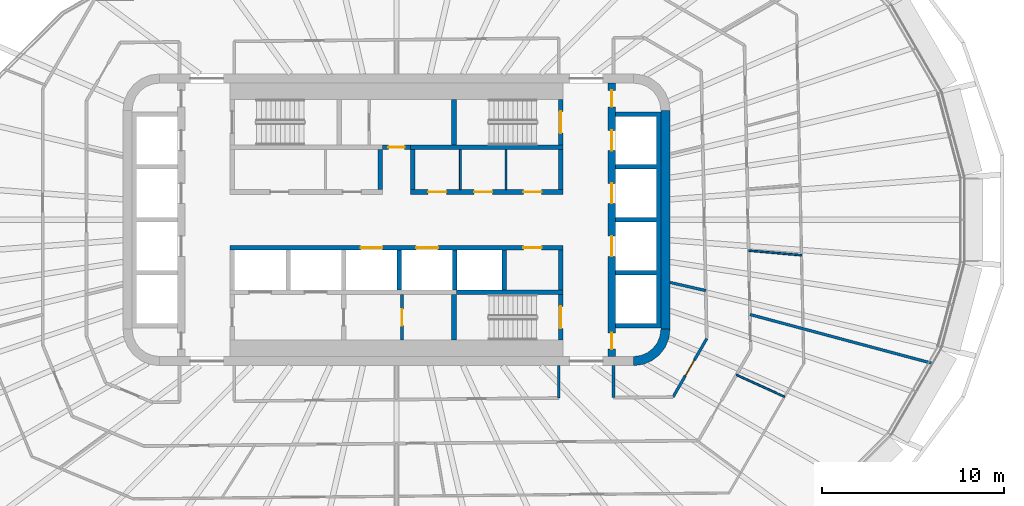
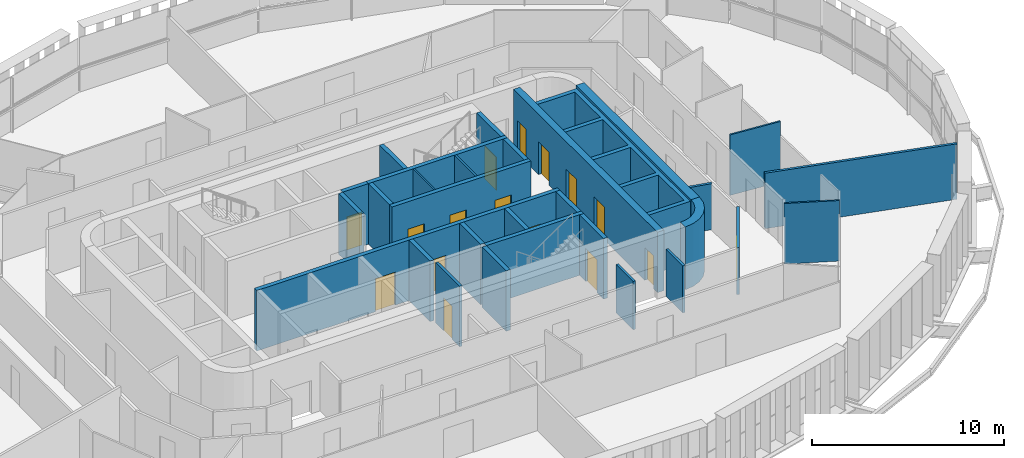
# One storey, part 13 of 23: 30 walls, 16 doors, 16 openings.
"""IFC4 building model written with IfcOpenShell, lengths in metres."""

from ifc_helpers import new_model, si_unit, direction, frame, frame_2d, origin, place, context, subcontext, project, spatial, polyline, rectangle, outline, extrude, material, layer, layer_set, type_object, element, fill, save


model = new_model("IFC4")

# Units and contexts
model_context = context("Model", 3, precision=1e-05, world=origin(), true_north=direction((0.0, 1.0)))
body_context = subcontext(model_context, "Body", "Model", "MODEL_VIEW")
ifc_project = project(units=[si_unit("LENGTHUNIT", "METRE"), si_unit("AREAUNIT", "SQUARE_METRE"), si_unit("VOLUMEUNIT", "CUBIC_METRE"), si_unit("PLANEANGLEUNIT", "RADIAN"), si_unit("MASSUNIT", "GRAM", prefix="KILO")], contexts=[model_context])

# Site, building, storey
site_placement = place(None, origin())
site = spatial("IfcSite", under=ifc_project, at=site_placement, CompositionType="ELEMENT")
building_placement = place(site_placement, origin())
building = spatial("IfcBuilding", under=site, at=building_placement, Name="Sahrelin Media Tower", CompositionType="ELEMENT")
storey_placement = place(building_placement, frame((0.0, 0.0, 173.60009765625)))
storey = spatial("IfcBuildingStorey", under=building, at=storey_placement, Name="L36", CompositionType="ELEMENT", Elevation=173.60009765625)

# Walls
ifc_material_1 = material(Name="Concrete C60/75", Category="concrete")
ifc_layer_1 = layer(ifc_material_1, 0.5)
ifc_layer_set_1 = layer_set([ifc_layer_1], Name="Core wall 500")
wall_type_1 = type_object("IfcWallType", Name="Core wall 500", PredefinedType="SHEAR", material=ifc_layer_set_1)
wall_1_placement = place(storey_placement, frame((14.75, -6.0, 0.0), z_axis=(0.0, 0.0, 1.0), x_axis=(0.0, 1.0, 0.0)))
element("IfcWall", 1, at=wall_1_placement, inside=storey, type_object=wall_type_1, Name="Core wall E L36", PredefinedType="SHEAR", context=body_context, shape_type="SweptSolid", body=[
    extrude(rectangle(XDim=12.0, YDim=0.5, at=frame_2d((6.0, 0.0))), origin(), (0.0, 0.0, 1.0), 4.0),
])
placement = place(storey_placement, origin())
element("IfcWall", 2, at=placement, inside=storey, type_object=wall_type_1, Name="Core wall corner SE L36", PredefinedType="SHEAR", context=body_context, shape_type="SweptSolid", body=[
    extrude(outline(polyline([(15.0, -6.0), (14.49560546875, -6.0), (14.44482421875, -6.38720703125), (14.29541015625, -6.747802734375), (14.0576171875, -7.0576171875), (13.747802734375, -7.29541015625), (13.38720703125, -7.44482421875), (13.0, -7.49560546875), (13.0, -8.0), (13.517578125, -7.931884765625), (14.0, -7.732177734375), (14.414306640625, -7.414306640625), (14.732177734375, -7.0), (14.931884765625, -6.517578125), (15.0, -6.0)])), origin(), (0.0, 0.0, 1.0), 4.0),
])

# Wall, opening, door
ifc_material_2 = material(Name="Fire-rated gypsum board partition")
ifc_layer_2 = layer(ifc_material_2, 0.25)
ifc_layer_set_2 = layer_set([ifc_layer_2], Name="Fire-rated lobby wall 250")
wall_type_2 = type_object("IfcWallType", Name="Fire-rated lobby wall 250", PredefinedType="PARTITIONING", material=ifc_layer_set_2)
wall_3_placement = place(storey_placement, frame((-0.77490234375, 3.97509765625, 0.0), z_axis=(0.0, 0.0, 1.0), x_axis=(1.0, 0.0, 0.0)))
wall_3 = element("IfcWall", 3, at=wall_3_placement, inside=storey, type_object=wall_type_2, Name="Core lobby wall", PredefinedType="PARTITIONING", context=body_context, shape_type="SweptSolid", body=[
    extrude(rectangle(XDim=1.5498046875, YDim=0.25, at=frame_2d((0.77490234375, 0.0))), origin(), (0.0, 0.0, 1.0), 3.849853515625),
])
opening_1_placement = place(wall_3_placement, frame((0.324951171875, 0.0, 0.0)))
opening_1 = element("IfcOpeningElement", 4, at=opening_1_placement, cuts=wall_3, Name="Opening L36-D06", PredefinedType="OPENING", context=body_context, shape_type="SweptSolid", body=[
    extrude(rectangle(XDim=0.89990234375, YDim=2.10009765625, at=frame_2d((0.449951171875, 1.050048828125))), frame((0.0, 0.125, 0.0), z_axis=(0.0, -1.0, 0.0), x_axis=(1.0, 0.0, 0.0)), (0.0, 0.0, 1.0), 0.25),
])
ifc_material_3 = material(Name="Steel fire door leaf", Category="steel")
door_type_1 = type_object("IfcDoorType", Name="Riser door 900 x 2100 EI 120", OperationType="NOTDEFINED", PredefinedType="DOOR", material=ifc_material_3)
door_1_placement = place(opening_1_placement, origin())
door_1 = element("IfcDoor", 5, at=door_1_placement, inside=storey, type_object=door_type_1, Name="Core room door", OperationType="SINGLE_SWING_LEFT", OverallHeight=2.10009765625, OverallWidth=0.89990234375, PredefinedType="DOOR", context=body_context, shape_type="SweptSolid", body=[
    extrude(rectangle(XDim=0.89990234375, YDim=2.10009765625, at=frame_2d((0.449951171875, 1.050048828125))), frame((0.0, 0.02490234375, 0.0), z_axis=(0.0, -1.0, 0.0), x_axis=(1.0, 0.0, 0.0)), (0.0, 0.0, 1.0), 0.050048828125),
])
fill(opening_1, door_1)

# Wall, openings, doors
wall_4_placement = place(storey_placement, frame((0.77490234375, 1.52490234375, 0.0), z_axis=(0.0, 0.0, 1.0), x_axis=(1.0, 0.0, 0.0)))
wall_4 = element("IfcWall", 6, at=wall_4_placement, inside=storey, type_object=wall_type_2, Name="Core lobby wall", PredefinedType="PARTITIONING", context=body_context, shape_type="SweptSolid", body=[
    extrude(rectangle(XDim=8.35009765625, YDim=0.25, at=frame_2d((4.175048828125, 0.0))), origin(), (0.0, 0.0, 1.0), 3.849853515625),
])
opening_2_placement = place(wall_4_placement, frame((0.96240234375, 0.0, 0.0)))
opening_2 = element("IfcOpeningElement", 7, at=opening_2_placement, cuts=wall_4, Name="Opening L36-D11", PredefinedType="OPENING", context=body_context, shape_type="SweptSolid", body=[
    extrude(rectangle(XDim=1.0, YDim=2.10009765625, at=frame_2d((0.5, 1.050048828125))), frame((0.0, 0.125, 0.0), z_axis=(0.0, -1.0, 0.0), x_axis=(1.0, 0.0, 0.0)), (0.0, 0.0, 1.0), 0.25),
])
opening_3_placement = place(wall_4_placement, frame((3.47509765625, 0.0, 0.0)))
opening_3 = element("IfcOpeningElement", 8, at=opening_3_placement, cuts=wall_4, Name="Opening L36-D12", PredefinedType="OPENING", context=body_context, shape_type="SweptSolid", body=[
    extrude(rectangle(XDim=1.0, YDim=2.10009765625, at=frame_2d((0.5, 1.050048828125))), frame((0.0, 0.125, 0.0), z_axis=(0.0, -1.0, 0.0), x_axis=(1.0, 0.0, 0.0)), (0.0, 0.0, 1.0), 0.25),
])
opening_4_placement = place(wall_4_placement, frame((6.1875, 0.0, 0.0)))
opening_4 = element("IfcOpeningElement", 9, at=opening_4_placement, cuts=wall_4, Name="Opening L36-D13", PredefinedType="OPENING", context=body_context, shape_type="SweptSolid", body=[
    extrude(rectangle(XDim=1.0, YDim=2.10009765625, at=frame_2d((0.5, 1.050048828125))), frame((0.0, 0.125, 0.0), z_axis=(0.0, -1.0, 0.0), x_axis=(1.0, 0.0, 0.0)), (0.0, 0.0, 1.0), 0.25),
])
door_type_2 = type_object("IfcDoorType", Name="Fire door 1000 x 2100 EI 60", OperationType="NOTDEFINED", PredefinedType="DOOR", material=ifc_material_3)
door_2_placement = place(opening_2_placement, origin())
door_2 = element("IfcDoor", 10, at=door_2_placement, inside=storey, type_object=door_type_2, Name="Core room door", OperationType="SINGLE_SWING_LEFT", OverallHeight=2.10009765625, OverallWidth=1.0, PredefinedType="DOOR", context=body_context, shape_type="SweptSolid", body=[
    extrude(rectangle(XDim=1.0, YDim=2.10009765625, at=frame_2d((0.5, 1.050048828125))), frame((0.0, 0.02490234375, 0.0), z_axis=(0.0, -1.0, 0.0), x_axis=(1.0, 0.0, 0.0)), (0.0, 0.0, 1.0), 0.050048828125),
])
fill(opening_2, door_2)
door_3_placement = place(opening_3_placement, origin())
door_3 = element("IfcDoor", 11, at=door_3_placement, inside=storey, type_object=door_type_2, Name="Core room door", OperationType="SINGLE_SWING_LEFT", OverallHeight=2.10009765625, OverallWidth=1.0, PredefinedType="DOOR", context=body_context, shape_type="SweptSolid", body=[
    extrude(rectangle(XDim=1.0, YDim=2.10009765625, at=frame_2d((0.5, 1.050048828125))), frame((0.0, 0.02490234375, 0.0), z_axis=(0.0, -1.0, 0.0), x_axis=(1.0, 0.0, 0.0)), (0.0, 0.0, 1.0), 0.050048828125),
])
fill(opening_3, door_3)
door_4_placement = place(opening_4_placement, origin())
door_4 = element("IfcDoor", 12, at=door_4_placement, inside=storey, type_object=door_type_2, Name="Core room door", OperationType="SINGLE_SWING_LEFT", OverallHeight=2.10009765625, OverallWidth=1.0, PredefinedType="DOOR", context=body_context, shape_type="SweptSolid", body=[
    extrude(rectangle(XDim=1.0, YDim=2.10009765625, at=frame_2d((0.5, 1.050048828125))), frame((0.0, 0.02490234375, 0.0), z_axis=(0.0, -1.0, 0.0), x_axis=(1.0, 0.0, 0.0)), (0.0, 0.0, 1.0), 0.050048828125),
])
fill(opening_4, door_4)

# Walls
for number, where, z_axis, x_axis, name in (
    (13, (-0.89990234375, 1.64990234375, 0.0), (0.0, 0.0, 1.0), (0.0, 1.0, 0.0), "Core lobby wall"),
    (14, (9.0, 1.64990234375, 0.0), (0.0, 0.0, 1.0), (0.0, 1.0, 0.0), "Core lobby wall"),
    (15, (0.89990234375, 1.64990234375, 0.0), (0.0, 0.0, 1.0), (0.0, 1.0, 0.0), "Core lobby wall"),
):
    element("IfcWall", number, at=place(storey_placement, frame(where, z_axis=z_axis, x_axis=x_axis)), inside=storey, type_object=wall_type_2, Name=name, PredefinedType="PARTITIONING", context=body_context, shape_type="SweptSolid", body=[
        extrude(rectangle(XDim=2.2001953125, YDim=0.25, at=frame_2d((1.10009765625, 0.0))), origin(), (0.0, 0.0, 1.0), 3.849853515625),
    ])
ifc_layer_3 = layer(ifc_material_2, 0.10009765625)
ifc_layer_set_3 = layer_set([ifc_layer_3], Name="Fire-rated partition 100")
wall_type_3 = type_object("IfcWallType", Name="Fire-rated partition 100", PredefinedType="PARTITIONING", material=ifc_layer_set_3)
for number, where, z_axis, x_axis, name in (
    (16, (3.5, 1.64990234375, 0.0), (0.0, 0.0, 1.0), (0.0, 1.0, 0.0), "Core room partition"),
    (17, (6.0, 1.64990234375, 0.0), (0.0, 0.0, 1.0), (0.0, 1.0, 0.0), "Core room partition"),
):
    element("IfcWall", number, at=place(storey_placement, frame(where, z_axis=z_axis, x_axis=x_axis)), inside=storey, type_object=wall_type_3, Name=name, PredefinedType="PARTITIONING", context=body_context, shape_type="SweptSolid", body=[
        extrude(rectangle(XDim=2.2001953125, YDim=0.10009765625, at=frame_2d((1.10009765625, 0.0))), origin(), (0.0, 0.0, 1.0), 3.849853515625),
    ])

# Wall, opening, door
ifc_layer_4 = layer(ifc_material_2, 0.14990234375)
ifc_layer_set_4 = layer_set([ifc_layer_4], Name="Fire-rated partition 150")
wall_type_4 = type_object("IfcWallType", Name="Fire-rated partition 150", PredefinedType="PARTITIONING", material=ifc_layer_set_4)
wall_5_placement = place(storey_placement, frame((0.300048828125, -6.60009765625, 0.0), z_axis=(0.0, 0.0, 1.0), x_axis=(0.0, 1.0, 0.0)))
wall_5 = element("IfcWall", 18, at=wall_5_placement, inside=storey, type_object=wall_type_4, Name="Core room fire partition", PredefinedType="PARTITIONING", context=body_context, shape_type="SweptSolid", body=[
    extrude(rectangle(XDim=2.5, YDim=0.14990234375, at=frame_2d((1.25, 0.0))), origin(), (0.0, 0.0, 1.0), 3.849853515625),
])
opening_5_placement = place(wall_5_placement, frame((0.800048828125, 0.0, 0.0)))
opening_5 = element("IfcOpeningElement", 19, at=opening_5_placement, cuts=wall_5, Name="Opening L36-D08", PredefinedType="OPENING", context=body_context, shape_type="SweptSolid", body=[
    extrude(rectangle(XDim=0.89990234375, YDim=2.10009765625, at=frame_2d((0.449951171875, 1.050048828125))), frame((0.0, 0.074951171875, 0.0), z_axis=(0.0, -1.0, 0.0), x_axis=(1.0, 0.0, 0.0)), (0.0, 0.0, 1.0), 0.14990234375),
])
door_type_3 = type_object("IfcDoorType", Name="Fire door 900 x 2100 EI 60", OperationType="NOTDEFINED", PredefinedType="DOOR", material=ifc_material_3)
door_5_placement = place(opening_5_placement, origin())
door_5 = element("IfcDoor", 20, at=door_5_placement, inside=storey, type_object=door_type_3, Name="Core room door", OperationType="SINGLE_SWING_RIGHT", OverallHeight=2.10009765625, OverallWidth=0.89990234375, PredefinedType="DOOR", context=body_context, shape_type="SweptSolid", body=[
    extrude(rectangle(XDim=0.89990234375, YDim=2.10009765625, at=frame_2d((0.449951171875, 1.050048828125))), frame((0.0, 0.02490234375, 0.0), z_axis=(0.0, -1.0, 0.0), x_axis=(1.0, 0.0, 0.0)), (0.0, 0.0, 1.0), 0.050048828125),
])
fill(opening_5, door_5)

# Walls
wall_6_placement = place(storey_placement, frame((19.384033203125, -5.194091796875, 0.0), z_axis=(0.0, 0.0, 1.0), x_axis=(0.965934913918, -0.258785127227, 0.0)))
element("IfcWall", 21, at=wall_6_placement, inside=storey, type_object=wall_type_4, Name="Wall", PredefinedType="PARTITIONING", context=body_context, shape_type="SweptSolid", body=[
    extrude(rectangle(XDim=10.3681640625, YDim=0.14990234375, at=frame_2d((5.18408203125, 0.0))), origin(), (0.0, 0.0, 1.0), 3.526611328125),
])
wall_7_placement = place(storey_placement, frame((15.0, -3.43505859375, 0.0), z_axis=(0.0, 0.0, 1.0), x_axis=(0.974785245705, -0.223145075582, 0.0)))
element("IfcWall", 22, at=wall_7_placement, inside=storey, type_object=wall_type_4, Name="Wall", PredefinedType="PARTITIONING", context=body_context, shape_type="SweptSolid", body=[
    extrude(rectangle(XDim=2.007568359375, YDim=0.14990234375, at=frame_2d((1.00390625, 0.0))), origin(), (0.0, 0.0, 1.0), 2.927001953125),
])

# Wall, opening, door
wall_8_placement = place(storey_placement, frame((15.160888671875, -9.720947265625, 0.0), z_axis=(0.0, 0.0, 1.0), x_axis=(0.500276498434, 0.865865708476, 0.0)))
wall_8 = element("IfcWall", 23, at=wall_8_placement, inside=storey, type_object=wall_type_4, Name="Wall", PredefinedType="PARTITIONING", context=body_context, shape_type="SweptSolid", body=[
    extrude(rectangle(XDim=3.69970703125, YDim=0.14990234375, at=frame_2d((1.849853515625, 0.0))), origin(), (0.0, 0.0, 1.0), 2.994873046875),
])
opening_6_placement = place(wall_8_placement, frame((1.34521484375, 0.0, 0.0)))
opening_6 = element("IfcOpeningElement", 24, at=opening_6_placement, cuts=wall_8, Name="Opening L36-D25", PredefinedType="OPENING", context=body_context, shape_type="SweptSolid", body=[
    extrude(rectangle(XDim=1.0, YDim=2.10009765625, at=frame_2d((0.5, 1.050048828125))), frame((0.0, 0.074951171875, 0.0), z_axis=(0.0, -1.0, 0.0), x_axis=(1.0, 0.0, 0.0)), (0.0, 0.0, 1.0), 0.14990234375),
])
door_6_placement = place(opening_6_placement, origin())
door_6 = element("IfcDoor", 25, at=door_6_placement, inside=storey, type_object=door_type_2, Name="Fire door", OperationType="SINGLE_SWING_RIGHT", OverallHeight=2.10009765625, OverallWidth=1.0, PredefinedType="DOOR", context=body_context, shape_type="SweptSolid", body=[
    extrude(rectangle(XDim=1.0, YDim=2.10009765625, at=frame_2d((0.5, 1.050048828125))), frame((0.0, 0.02490234375, 0.0), z_axis=(0.0, -1.0, 0.0), x_axis=(1.0, 0.0, 0.0)), (0.0, 0.0, 1.0), 0.050048828125),
])
fill(opening_6, door_6)

# Walls
wall_9_placement = place(storey_placement, frame((11.89990234375, -9.7529296875, 0.0), z_axis=(0.0, 0.0, 1.0), x_axis=(0.0, 1.0, 0.0)))
element("IfcWall", 26, at=wall_9_placement, inside=storey, type_object=wall_type_4, Name="Wall", PredefinedType="PARTITIONING", context=body_context, shape_type="SweptSolid", body=[
    extrude(rectangle(XDim=1.7529296875, YDim=0.14990234375, at=frame_2d((0.87646484375, 0.0))), origin(), (0.0, 0.0, 1.0), 2.994873046875),
])
wall_10_placement = place(storey_placement, frame((8.89990234375, -9.782958984375, 0.0), z_axis=(0.0, 0.0, 1.0), x_axis=(0.0, 1.0, 0.0)))
element("IfcWall", 27, at=wall_10_placement, inside=storey, type_object=wall_type_4, Name="Wall", PredefinedType="PARTITIONING", context=body_context, shape_type="SweptSolid", body=[
    extrude(rectangle(XDim=1.782958984375, YDim=0.14990234375, at=frame_2d((0.8916015625, 0.0))), origin(), (0.0, 0.0, 1.0), 3.075927734375),
])

# Wall, openings, doors
ifc_layer_5 = layer(ifc_material_1, 0.25)
ifc_layer_set_5 = layer_set([ifc_layer_5], Name="Lift shaft wall 250")
wall_type_5 = type_object("IfcWallType", Name="Lift shaft wall 250", PredefinedType="SOLIDWALL", material=ifc_layer_set_5)
wall_11_placement = place(storey_placement, frame((-9.125, -1.52490234375, 0.0), z_axis=(0.0, 0.0, 1.0), x_axis=(1.0, 0.0, 0.0)))
wall_11 = element("IfcWall", 28, at=wall_11_placement, inside=storey, type_object=wall_type_5, Name="Lift shaft wall", PredefinedType="SOLIDWALL", context=body_context, shape_type="SweptSolid", body=[
    extrude(rectangle(XDim=18.25, YDim=0.25, at=frame_2d((9.125, 0.0))), origin(), (0.0, 0.0, 1.0), 3.849853515625),
])
opening_7_placement = place(wall_11_placement, frame((7.14990234375, 0.0, 0.0)))
opening_7 = element("IfcOpeningElement", 29, at=opening_7_placement, cuts=wall_11, Name="Opening L36-LD-SV1", PredefinedType="OPENING", context=body_context, shape_type="SweptSolid", body=[
    extrude(rectangle(XDim=1.199951171875, YDim=2.10009765625, at=frame_2d((0.60009765625, 1.050048828125))), frame((0.0, 0.125, 0.0), z_axis=(0.0, -1.0, 0.0), x_axis=(1.0, 0.0, 0.0)), (0.0, 0.0, 1.0), 0.25),
])
opening_8_placement = place(wall_11_placement, frame((10.199951171875, 0.0, 0.0)))
opening_8 = element("IfcOpeningElement", 30, at=opening_8_placement, cuts=wall_11, Name="Opening L36-LD-SV2", PredefinedType="OPENING", context=body_context, shape_type="SweptSolid", body=[
    extrude(rectangle(XDim=1.199951171875, YDim=2.10009765625, at=frame_2d((0.60009765625, 1.050048828125))), frame((0.0, 0.125, 0.0), z_axis=(0.0, -1.0, 0.0), x_axis=(1.0, 0.0, 0.0)), (0.0, 0.0, 1.0), 0.25),
])
opening_9_placement = place(wall_11_placement, frame((16.074951171875, 0.0, 0.0)))
opening_9 = element("IfcOpeningElement", 31, at=opening_9_placement, cuts=wall_11, Name="Opening L36-D14", PredefinedType="OPENING", context=body_context, shape_type="SweptSolid", body=[
    extrude(rectangle(XDim=1.0, YDim=2.10009765625, at=frame_2d((0.5, 1.050048828125))), frame((0.0, 0.125, 0.0), z_axis=(0.0, -1.0, 0.0), x_axis=(1.0, 0.0, 0.0)), (0.0, 0.0, 1.0), 0.25),
])
door_7_placement = place(opening_9_placement, origin())
door_7 = element("IfcDoor", 32, at=door_7_placement, inside=storey, type_object=door_type_2, Name="Core room door", OperationType="SINGLE_SWING_RIGHT", OverallHeight=2.10009765625, OverallWidth=1.0, PredefinedType="DOOR", context=body_context, shape_type="SweptSolid", body=[
    extrude(rectangle(XDim=1.0, YDim=2.10009765625, at=frame_2d((0.5, 1.050048828125))), frame((0.0, 0.02490234375, 0.0), z_axis=(0.0, -1.0, 0.0), x_axis=(1.0, 0.0, 0.0)), (0.0, 0.0, 1.0), 0.050048828125),
])
fill(opening_9, door_7)
ifc_material_4 = material(Name="Stainless steel", Category="steel")
door_type_4 = type_object("IfcDoorType", Name="Lift landing door 1200 x 2100 EI 120", OperationType="DOUBLE_DOOR_SLIDING", PredefinedType="DOOR", material=ifc_material_4)
door_8_placement = place(opening_7_placement, origin())
door_8 = element("IfcDoor", 33, at=door_8_placement, inside=storey, type_object=door_type_4, Name="Lift landing door SV1", OperationType="DOUBLE_DOOR_SLIDING", OverallHeight=2.10009765625, OverallWidth=1.199951171875, PredefinedType="DOOR", context=body_context, shape_type="SweptSolid", body=[
    extrude(rectangle(XDim=1.199951171875, YDim=2.10009765625, at=frame_2d((0.60009765625, 1.050048828125))), frame((0.0, 0.02490234375, 0.0), z_axis=(0.0, -1.0, 0.0), x_axis=(1.0, 0.0, 0.0)), (0.0, 0.0, 1.0), 0.050048828125),
])
fill(opening_7, door_8)
door_9_placement = place(opening_8_placement, origin())
door_9 = element("IfcDoor", 34, at=door_9_placement, inside=storey, type_object=door_type_4, Name="Lift landing door SV2", OperationType="DOUBLE_DOOR_SLIDING", OverallHeight=2.10009765625, OverallWidth=1.199951171875, PredefinedType="DOOR", context=body_context, shape_type="SweptSolid", body=[
    extrude(rectangle(XDim=1.199951171875, YDim=2.10009765625, at=frame_2d((0.60009765625, 1.050048828125))), frame((0.0, 0.02490234375, 0.0), z_axis=(0.0, -1.0, 0.0), x_axis=(1.0, 0.0, 0.0)), (0.0, 0.0, 1.0), 0.050048828125),
])
fill(opening_8, door_9)

# Walls
wall_12_placement = place(storey_placement, frame((3.27490234375, -3.97509765625, 0.0), z_axis=(0.0, 0.0, 1.0), x_axis=(1.0, 0.0, 0.0)))
element("IfcWall", 35, at=wall_12_placement, inside=storey, type_object=wall_type_5, Name="Lift shaft wall", PredefinedType="SOLIDWALL", context=body_context, shape_type="SweptSolid", body=[
    extrude(rectangle(XDim=5.85009765625, YDim=0.25, at=frame_2d((2.925048828125, 0.0))), origin(), (0.0, 0.0, 1.0), 3.849853515625),
])
for number, where, z_axis, x_axis, name in (
    (36, (0.14990234375, -3.85009765625, 0.0), (0.0, 0.0, 1.0), (0.0, 1.0, 0.0), "Lift shaft wall"),
    (37, (3.199951171875, -3.85009765625, 0.0), (0.0, 0.0, 1.0), (0.0, 1.0, 0.0), "Lift shaft wall"),
    (38, (5.89990234375, -3.85009765625, 0.0), (0.0, 0.0, 1.0), (0.0, 1.0, 0.0), "Lift shaft wall"),
    (39, (9.0, -3.85009765625, 0.0), (0.0, 0.0, 1.0), (0.0, 1.0, 0.0), "Lift shaft wall"),
):
    element("IfcWall", number, at=place(storey_placement, frame(where, z_axis=z_axis, x_axis=x_axis)), inside=storey, type_object=wall_type_5, Name=name, PredefinedType="SOLIDWALL", context=body_context, shape_type="SweptSolid", body=[
        extrude(rectangle(XDim=2.2001953125, YDim=0.25, at=frame_2d((1.10009765625, 0.0))), origin(), (0.0, 0.0, 1.0), 3.849853515625),
    ])
element("IfcWall", 40, at=placement, inside=storey, type_object=wall_type_5, Name="Lift shaft wall", PredefinedType="SOLIDWALL", context=body_context, shape_type="SweptSolid", body=[
    extrude(outline(polyline([(12.0, -5.675048828125), (12.0, -5.925048828125), (14.25, -5.925048828125), (14.5, -5.925048828125), (14.5, -5.675048828125), (14.5, -3.02490234375), (14.5, -2.77490234375), (14.5, -0.125), (14.5, 0.125), (14.5, 2.77490234375), (14.5, 3.02490234375), (14.5, 5.675048828125), (14.5, 5.925048828125), (14.25, 5.925048828125), (12.0, 5.925048828125), (12.0, 5.675048828125), (14.25, 5.675048828125), (14.25, 3.02490234375), (12.0, 3.02490234375), (12.0, 2.77490234375), (14.25, 2.77490234375), (14.25, 0.125), (12.0, 0.125), (12.0, -0.125), (14.25, -0.125), (14.25, -2.77490234375), (12.0, -2.77490234375), (12.0, -3.02490234375), (14.25, -3.02490234375), (14.25, -5.675048828125), (12.0, -5.675048828125)])), origin(), (0.0, 0.0, 1.0), 3.849853515625),
])

# Wall, openings, doors
ifc_layer_6 = layer(ifc_material_1, 0.39990234375)
ifc_layer_set_6 = layer_set([ifc_layer_6], Name="Lift shaft wall 400")
wall_type_6 = type_object("IfcWallType", Name="Lift shaft wall 400", PredefinedType="SOLIDWALL", material=ifc_layer_set_6)
wall_14_placement = place(storey_placement, frame((11.800048828125, -7.5, 0.0), z_axis=(0.0, 0.0, 1.0), x_axis=(0.0, 1.0, 0.0)))
wall_14 = element("IfcWall", 41, at=wall_14_placement, inside=storey, type_object=wall_type_6, Name="Lift shaft wall", PredefinedType="SOLIDWALL", context=body_context, shape_type="SweptSolid", body=[
    extrude(rectangle(XDim=15.0, YDim=0.39990234375, at=frame_2d((7.5, 0.0))), origin(), (0.0, 0.0, 1.0), 3.849853515625),
])
opening_10_placement = place(wall_14_placement, frame((11.300048828125, 0.0, 0.0)))
opening_10 = element("IfcOpeningElement", 42, at=opening_10_placement, cuts=wall_14, Name="Opening L36-LD-LR4", PredefinedType="OPENING", context=body_context, shape_type="SweptSolid", body=[
    extrude(rectangle(XDim=1.10009765625, YDim=2.10009765625, at=frame_2d((0.550048828125, 1.050048828125))), frame((0.0, 0.199951171875, 0.0), z_axis=(0.0, -1.0, 0.0), x_axis=(1.0, 0.0, 0.0)), (0.0, 0.0, 1.0), 0.39990234375),
])
opening_11_placement = place(wall_14_placement, frame((8.39990234375, 0.0, 0.0)))
opening_11 = element("IfcOpeningElement", 43, at=opening_11_placement, cuts=wall_14, Name="Opening L36-LD-LR5", PredefinedType="OPENING", context=body_context, shape_type="SweptSolid", body=[
    extrude(rectangle(XDim=1.10009765625, YDim=2.10009765625, at=frame_2d((0.550048828125, 1.050048828125))), frame((0.0, 0.199951171875, 0.0), z_axis=(0.0, -1.0, 0.0), x_axis=(1.0, 0.0, 0.0)), (0.0, 0.0, 1.0), 0.39990234375),
])
opening_12_placement = place(wall_14_placement, frame((5.5, 0.0, 0.0)))
opening_12 = element("IfcOpeningElement", 44, at=opening_12_placement, cuts=wall_14, Name="Opening L36-LD-LR6", PredefinedType="OPENING", context=body_context, shape_type="SweptSolid", body=[
    extrude(rectangle(XDim=1.10009765625, YDim=2.10009765625, at=frame_2d((0.550048828125, 1.050048828125))), frame((0.0, 0.199951171875, 0.0), z_axis=(0.0, -1.0, 0.0), x_axis=(1.0, 0.0, 0.0)), (0.0, 0.0, 1.0), 0.39990234375),
])
opening_13_placement = place(wall_14_placement, frame((13.696533203125, 0.0, 0.0)))
opening_13 = element("IfcOpeningElement", 45, at=opening_13_placement, cuts=wall_14, Name="Opening L36-D17", PredefinedType="OPENING", context=body_context, shape_type="SweptSolid", body=[
    extrude(rectangle(XDim=0.89990234375, YDim=2.10009765625, at=frame_2d((0.449951171875, 1.050048828125))), frame((0.0, 0.199951171875, 0.0), z_axis=(0.0, -1.0, 0.0), x_axis=(1.0, 0.0, 0.0)), (0.0, 0.0, 1.0), 0.39990234375),
])
opening_14_placement = place(wall_14_placement, frame((0.4033203125, 0.0, 0.0)))
opening_14 = element("IfcOpeningElement", 46, at=opening_14_placement, cuts=wall_14, Name="Opening L36-D18", PredefinedType="OPENING", context=body_context, shape_type="SweptSolid", body=[
    extrude(rectangle(XDim=0.89990234375, YDim=2.10009765625, at=frame_2d((0.449951171875, 1.050048828125))), frame((0.0, 0.199951171875, 0.0), z_axis=(0.0, -1.0, 0.0), x_axis=(1.0, 0.0, 0.0)), (0.0, 0.0, 1.0), 0.39990234375),
])
door_type_5 = type_object("IfcDoorType", Name="Lift landing door 1100 x 2100 EI 120", OperationType="DOUBLE_DOOR_SLIDING", PredefinedType="DOOR", material=ifc_material_4)
door_10_placement = place(opening_10_placement, origin())
door_10 = element("IfcDoor", 47, at=door_10_placement, inside=storey, type_object=door_type_5, Name="Lift landing door LR4", OperationType="DOUBLE_DOOR_SLIDING", OverallHeight=2.10009765625, OverallWidth=1.10009765625, PredefinedType="DOOR", context=body_context, shape_type="SweptSolid", body=[
    extrude(rectangle(XDim=1.10009765625, YDim=2.10009765625, at=frame_2d((0.550048828125, 1.050048828125))), frame((0.0, 0.02490234375, 0.0), z_axis=(0.0, -1.0, 0.0), x_axis=(1.0, 0.0, 0.0)), (0.0, 0.0, 1.0), 0.050048828125),
])
fill(opening_10, door_10)
door_11_placement = place(opening_11_placement, origin())
door_11 = element("IfcDoor", 48, at=door_11_placement, inside=storey, type_object=door_type_5, Name="Lift landing door LR5", OperationType="DOUBLE_DOOR_SLIDING", OverallHeight=2.10009765625, OverallWidth=1.10009765625, PredefinedType="DOOR", context=body_context, shape_type="SweptSolid", body=[
    extrude(rectangle(XDim=1.10009765625, YDim=2.10009765625, at=frame_2d((0.550048828125, 1.050048828125))), frame((0.0, 0.02490234375, 0.0), z_axis=(0.0, -1.0, 0.0), x_axis=(1.0, 0.0, 0.0)), (0.0, 0.0, 1.0), 0.050048828125),
])
fill(opening_11, door_11)
door_12_placement = place(opening_12_placement, origin())
door_12 = element("IfcDoor", 49, at=door_12_placement, inside=storey, type_object=door_type_5, Name="Lift landing door LR6", OperationType="DOUBLE_DOOR_SLIDING", OverallHeight=2.10009765625, OverallWidth=1.10009765625, PredefinedType="DOOR", context=body_context, shape_type="SweptSolid", body=[
    extrude(rectangle(XDim=1.10009765625, YDim=2.10009765625, at=frame_2d((0.550048828125, 1.050048828125))), frame((0.0, 0.02490234375, 0.0), z_axis=(0.0, -1.0, 0.0), x_axis=(1.0, 0.0, 0.0)), (0.0, 0.0, 1.0), 0.050048828125),
])
fill(opening_12, door_12)
door_13_placement = place(opening_13_placement, origin())
door_13 = element("IfcDoor", 50, at=door_13_placement, inside=storey, type_object=door_type_1, Name="Riser door", OperationType="SINGLE_SWING_RIGHT", OverallHeight=2.10009765625, OverallWidth=0.89990234375, PredefinedType="DOOR", context=body_context, shape_type="SweptSolid", body=[
    extrude(rectangle(XDim=0.89990234375, YDim=2.10009765625, at=frame_2d((0.449951171875, 1.050048828125))), frame((0.0, 0.02490234375, 0.0), z_axis=(0.0, -1.0, 0.0), x_axis=(1.0, 0.0, 0.0)), (0.0, 0.0, 1.0), 0.050048828125),
])
fill(opening_13, door_13)
door_14_placement = place(opening_14_placement, origin())
door_14 = element("IfcDoor", 51, at=door_14_placement, inside=storey, type_object=door_type_1, Name="Riser door", OperationType="SINGLE_SWING_RIGHT", OverallHeight=2.10009765625, OverallWidth=0.89990234375, PredefinedType="DOOR", context=body_context, shape_type="SweptSolid", body=[
    extrude(rectangle(XDim=0.89990234375, YDim=2.10009765625, at=frame_2d((0.449951171875, 1.050048828125))), frame((0.0, 0.02490234375, 0.0), z_axis=(0.0, -1.0, 0.0), x_axis=(1.0, 0.0, 0.0)), (0.0, 0.0, 1.0), 0.050048828125),
])
fill(opening_14, door_14)

# Walls
ifc_material_5 = material(Name="Gypsum board partition")
ifc_layer_7 = layer(ifc_material_5, 0.10009765625)
ifc_layer_set_7 = layer_set([ifc_layer_7], Name="Partition 100")
wall_type_7 = type_object("IfcWallType", Name="Partition 100", PredefinedType="PARTITIONING", material=ifc_layer_set_7)
wall_15_placement = place(storey_placement, frame((18.636962890625, -8.5, 0.0), z_axis=(0.0, 0.0, 1.0), x_axis=(0.909830186203, -0.414980761329, 0.0)))
element("IfcWall", 52, at=wall_15_placement, inside=storey, type_object=wall_type_7, Name="Wall", PredefinedType="PARTITIONING", context=body_context, shape_type="SweptSolid", body=[
    extrude(rectangle(XDim=2.904052734375, YDim=0.10009765625, at=frame_2d((1.4521484375, 0.0))), origin(), (0.0, 0.0, 1.0), 3.849853515625),
])
wall_16_placement = place(storey_placement, frame((19.31201171875, -1.68994140625, 0.0), z_axis=(0.0, 0.0, 1.0), x_axis=(0.9962004602, -0.087089856452, 0.0)))
element("IfcWall", 53, at=wall_16_placement, inside=storey, type_object=wall_type_7, Name="Wall", PredefinedType="PARTITIONING", context=body_context, shape_type="SweptSolid", body=[
    extrude(rectangle(XDim=2.906982421875, YDim=0.10009765625, at=frame_2d((1.45361328125, 0.0))), origin(), (0.0, 0.0, 1.0), 3.849853515625),
])

# Wall, opening, door
ifc_layer_8 = layer(ifc_material_1, 0.25)
ifc_layer_set_8 = layer_set([ifc_layer_8], Name="Stair enclosure wall 250")
wall_type_8 = type_object("IfcWallType", Name="Stair enclosure wall 250", PredefinedType="SOLIDWALL", material=ifc_layer_set_8)
wall_17_placement = place(storey_placement, frame((9.0, 4.10009765625, 0.0), z_axis=(0.0, 0.0, 1.0), x_axis=(0.0, 1.0, 0.0)))
wall_17 = element("IfcWall", 54, at=wall_17_placement, inside=storey, type_object=wall_type_8, Name="Stair enclosure wall", PredefinedType="SOLIDWALL", context=body_context, shape_type="SweptSolid", body=[
    extrude(rectangle(XDim=2.5, YDim=0.25, at=frame_2d((1.25, 0.0))), origin(), (0.0, 0.0, 1.0), 3.849853515625),
])
opening_15_placement = place(wall_17_placement, frame((0.64990234375, 0.0, 0.0)))
opening_15 = element("IfcOpeningElement", 55, at=opening_15_placement, cuts=wall_17, Name="Opening L36-D02", PredefinedType="OPENING", context=body_context, shape_type="SweptSolid", body=[
    extrude(rectangle(XDim=1.199951171875, YDim=2.10009765625, at=frame_2d((0.60009765625, 1.050048828125))), frame((0.0, 0.125, 0.0), z_axis=(0.0, -1.0, 0.0), x_axis=(1.0, 0.0, 0.0)), (0.0, 0.0, 1.0), 0.25),
])
door_type_6 = type_object("IfcDoorType", Name="Stair door 1200 x 2100 EI 120", OperationType="NOTDEFINED", PredefinedType="DOOR", material=ifc_material_3)
door_15_placement = place(opening_15_placement, origin())
door_15 = element("IfcDoor", 56, at=door_15_placement, inside=storey, type_object=door_type_6, Name="Stair door ST3", OperationType="SINGLE_SWING_LEFT", OverallHeight=2.10009765625, OverallWidth=1.199951171875, PredefinedType="DOOR", context=body_context, shape_type="SweptSolid", body=[
    extrude(rectangle(XDim=1.199951171875, YDim=2.10009765625, at=frame_2d((0.60009765625, 1.050048828125))), frame((0.0, 0.02490234375, 0.0), z_axis=(0.0, -1.0, 0.0), x_axis=(1.0, 0.0, 0.0)), (0.0, 0.0, 1.0), 0.050048828125),
])
fill(opening_15, door_15)

wall_18_placement = place(storey_placement, frame((9.0, -6.60009765625, 0.0), z_axis=(0.0, 0.0, 1.0), x_axis=(0.0, 1.0, 0.0)))
wall_18 = element("IfcWall", 57, at=wall_18_placement, inside=storey, type_object=wall_type_8, Name="Stair enclosure wall", PredefinedType="SOLIDWALL", context=body_context, shape_type="SweptSolid", body=[
    extrude(rectangle(XDim=2.5, YDim=0.25, at=frame_2d((1.25, 0.0))), origin(), (0.0, 0.0, 1.0), 3.849853515625),
])
opening_16_placement = place(wall_18_placement, frame((0.64990234375, 0.0, 0.0)))
opening_16 = element("IfcOpeningElement", 58, at=opening_16_placement, cuts=wall_18, Name="Opening L36-D03", PredefinedType="OPENING", context=body_context, shape_type="SweptSolid", body=[
    extrude(rectangle(XDim=1.199951171875, YDim=2.10009765625, at=frame_2d((0.60009765625, 1.050048828125))), frame((0.0, 0.125, 0.0), z_axis=(0.0, -1.0, 0.0), x_axis=(1.0, 0.0, 0.0)), (0.0, 0.0, 1.0), 0.25),
])
door_16_placement = place(opening_16_placement, origin())
door_16 = element("IfcDoor", 59, at=door_16_placement, inside=storey, type_object=door_type_6, Name="Stair door ST2", OperationType="SINGLE_SWING_LEFT", OverallHeight=2.10009765625, OverallWidth=1.199951171875, PredefinedType="DOOR", context=body_context, shape_type="SweptSolid", body=[
    extrude(rectangle(XDim=1.199951171875, YDim=2.10009765625, at=frame_2d((0.60009765625, 1.050048828125))), frame((0.0, 0.02490234375, 0.0), z_axis=(0.0, -1.0, 0.0), x_axis=(1.0, 0.0, 0.0)), (0.0, 0.0, 1.0), 0.050048828125),
])
fill(opening_16, door_16)

# Walls
for number, where, z_axis, x_axis, name in (
    (60, (3.14990234375, 4.10009765625, 0.0), (0.0, 0.0, 1.0), (0.0, 1.0, 0.0), "Stair enclosure wall"),
    (61, (3.14990234375, -6.60009765625, 0.0), (0.0, 0.0, 1.0), (0.0, 1.0, 0.0), "Stair enclosure wall"),
):
    element("IfcWall", number, at=place(storey_placement, frame(where, z_axis=z_axis, x_axis=x_axis)), inside=storey, type_object=wall_type_8, Name=name, PredefinedType="SOLIDWALL", context=body_context, shape_type="SweptSolid", body=[
        extrude(rectangle(XDim=2.5, YDim=0.25, at=frame_2d((1.25, 0.0))), origin(), (0.0, 0.0, 1.0), 3.849853515625),
    ])
wall_19_placement = place(storey_placement, frame((0.77490234375, 3.97509765625, 0.0), z_axis=(0.0, 0.0, 1.0), x_axis=(1.0, 0.0, 0.0)))
element("IfcWall", 62, at=wall_19_placement, inside=storey, type_object=wall_type_8, Name="Stair enclosure wall", PredefinedType="SOLIDWALL", context=body_context, shape_type="SweptSolid", body=[
    extrude(rectangle(XDim=8.35009765625, YDim=0.25, at=frame_2d((4.175048828125, 0.0))), origin(), (0.0, 0.0, 1.0), 3.849853515625),
])

save(model, "model.ifc")
